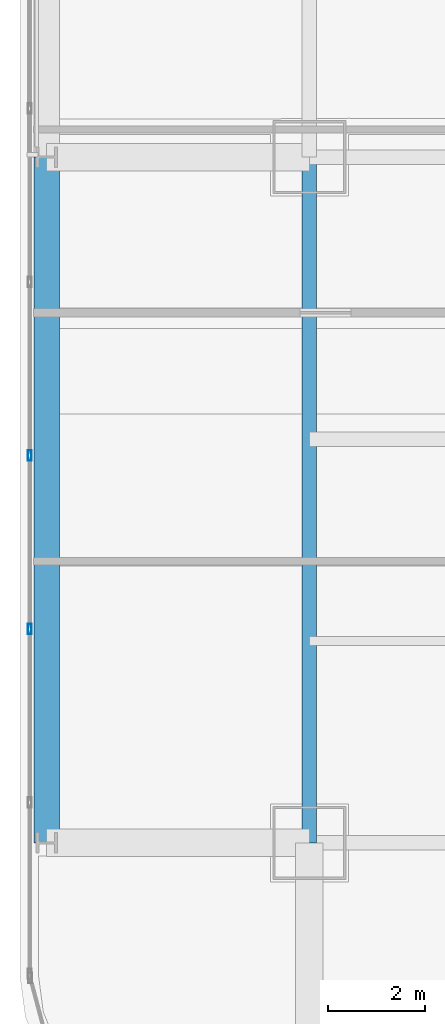
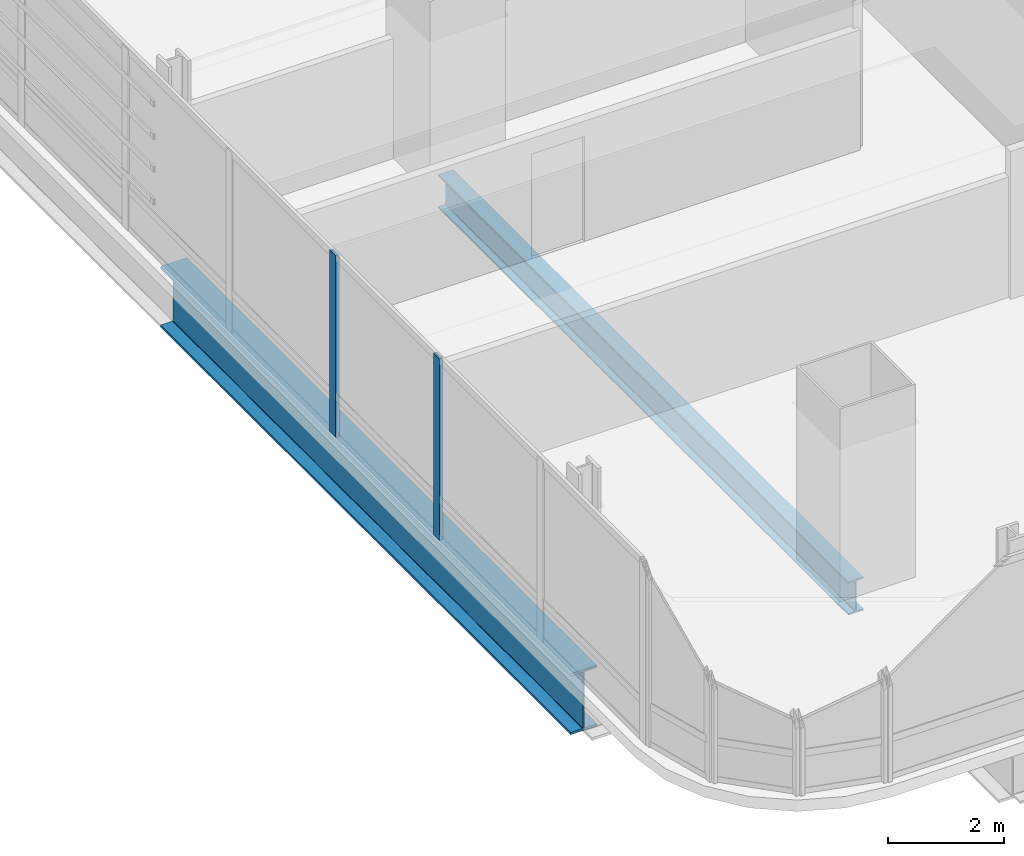
# One storey, part 4 of 36: 2 beams, 2 members, 1 element without a shape of its own.
"""IFC4 building model written with IfcOpenShell, lengths in metres."""

from ifc_helpers import new_model, si_unit, direction, frame, origin, origin_2d, place, context, subcontext, project, spatial, hollow_rectangle, i_section, extrude, material, material_profile, profile_set, type_object, element, aggregate, save


model = new_model("IFC4")

# Units and contexts
model_context = context("Model", 3, precision=1e-05, world=origin(), true_north=direction((0.0, 1.0)))
body_context = subcontext(model_context, "Body", "Model", "MODEL_VIEW")
ifc_project = project(units=[si_unit("LENGTHUNIT", "METRE"), si_unit("AREAUNIT", "SQUARE_METRE"), si_unit("VOLUMEUNIT", "CUBIC_METRE"), si_unit("PLANEANGLEUNIT", "RADIAN"), si_unit("MASSUNIT", "GRAM", prefix="KILO")], contexts=[model_context])

# Site, building, storey
site_placement = place(None, origin())
site = spatial("IfcSite", under=ifc_project, at=site_placement, CompositionType="ELEMENT")
building_placement = place(site_placement, origin())
building = spatial("IfcBuilding", under=site, at=building_placement, Name="Punatoya Terracotta Tower", CompositionType="ELEMENT")
storey_placement = place(building_placement, frame((0.0, 0.0, 48.449951171875)))
storey = spatial("IfcBuildingStorey", under=building, at=storey_placement, Name="L10", CompositionType="ELEMENT", Elevation=48.449951171875)

# Beams
ifc_material_1 = material(Name="Steel S355", Category="steel")
ifc_material_profile_1 = material_profile(ifc_material_1, i_section(OverallWidth=0.300048828125, OverallDepth=0.699951171875, WebThickness=0.01708984375, FlangeThickness=0.031982421875, FilletRadius=0.01806640625, at=origin_2d()))
ifc_profile_set_1 = profile_set([ifc_material_profile_1], Name="Steel S355")
beam_type_1 = type_object("IfcBeamType", Name="BM-PRI-700", PredefinedType="BEAM", material=ifc_profile_set_1)
beam_1_placement = place(storey_placement, frame((-19.10009765625, -17.5, -0.58984375), z_axis=(0.0, 1.0, 0.0), x_axis=(-1.0, 0.0, 0.0)))
element("IfcBeam", 1, at=beam_1_placement, inside=storey, type_object=beam_type_1, Name="BM-L10-RG-W1", PredefinedType="BEAM", context=body_context, shape_type="SweptSolid", body=[
    extrude(i_section(OverallWidth=0.300048828125, OverallDepth=0.699951171875, WebThickness=0.01708984375, FlangeThickness=0.031982421875, FilletRadius=0.01806640625, at=origin_2d()), origin(), (0.0, 0.0, 1.0), 14.10009765625),
])
ifc_material_2 = material(Name="Steel S460", Category="steel")
ifc_material_profile_2 = material_profile(ifc_material_2, i_section(OverallWidth=0.52001953125, OverallDepth=1.280029296875, WebThickness=0.031982421875, FlangeThickness=0.050048828125, FilletRadius=0.01806640625, at=origin_2d()))
ifc_profile_set_2 = profile_set([ifc_material_profile_2], Name="Steel S460")
beam_type_2 = type_object("IfcBeamType", Name="BM-TG-NCK", PredefinedType="BEAM", material=ifc_profile_set_2)
beam_2_placement = place(storey_placement, frame((-24.5, -17.5, -0.8798828125), z_axis=(0.0, 1.0, 0.0), x_axis=(-1.0, 0.0, 0.0)))
element("IfcBeam", 2, at=beam_2_placement, inside=storey, type_object=beam_type_2, Name="BM-L10-PER-W1", PredefinedType="BEAM", context=body_context, shape_type="SweptSolid", body=[
    extrude(i_section(OverallWidth=0.52001953125, OverallDepth=1.280029296875, WebThickness=0.031982421875, FlangeThickness=0.050048828125, FilletRadius=0.01806640625, at=origin_2d()), origin(), (0.0, 0.0, 1.0), 14.10009765625),
])

# Curtain wall, members
ifc_material_3 = material(Name="Aluminium 6063-T6 + Double Low-E Glass", Category="aluminium")
curtain_wall_type = type_object("IfcCurtainWallType", Name="CW-M1", PredefinedType="NOTDEFINED", material=ifc_material_3)
curtain_wall_placement = place(storey_placement, origin())
curtain_wall = element("IfcCurtainWall", 3, at=curtain_wall_placement, inside=storey, type_object=curtain_wall_type, Name="L10 Curtain Wall CW-L10-W13-1", PredefinedType="NOTDEFINED")
ifc_material_4 = material(Name="Aluminium 6063-T6", Category="aluminium")
ifc_material_profile_3 = material_profile(ifc_material_4, hollow_rectangle(XDim=0.074951171875, YDim=0.2099609375, WallThickness=0.00439453125, at=origin_2d()))
ifc_profile_set_3 = profile_set([ifc_material_profile_3], Name="Aluminium 6063-T6")
member_type = type_object("IfcMemberType", Name="CW-MUL-M1", PredefinedType="MULLION", material=ifc_profile_set_3)
member_1_placement = place(storey_placement, frame((-24.85009765625, -9.534912109375, 0.0), z_axis=(0.0, 0.0, 1.0), x_axis=(1.0, 0.0, 0.0)))
member_1 = element("IfcMember", 4, at=member_1_placement, type_object=member_type, Name="CW-L10-W13-1 Mullion 07", PredefinedType="MULLION", context=body_context, shape_type="SweptSolid", body=[
    extrude(hollow_rectangle(XDim=0.074951171875, YDim=0.2099609375, WallThickness=0.00439453125, at=origin_2d()), origin(), (0.0, 0.0, 1.0), 3.81005859375),
])
member_2_placement = place(storey_placement, frame((-24.85009765625, -13.10205078125, 0.0), z_axis=(0.0, 0.0, 1.0), x_axis=(1.0, 0.0, 0.0)))
member_2 = element("IfcMember", 5, at=member_2_placement, type_object=member_type, Name="CW-L10-W13-1 Mullion 08", PredefinedType="MULLION", context=body_context, shape_type="SweptSolid", body=[
    extrude(hollow_rectangle(XDim=0.074951171875, YDim=0.2099609375, WallThickness=0.00439453125, at=origin_2d()), origin(), (0.0, 0.0, 1.0), 3.81005859375),
])
aggregate(curtain_wall, [member_1, member_2])

save(model, "model.ifc")
